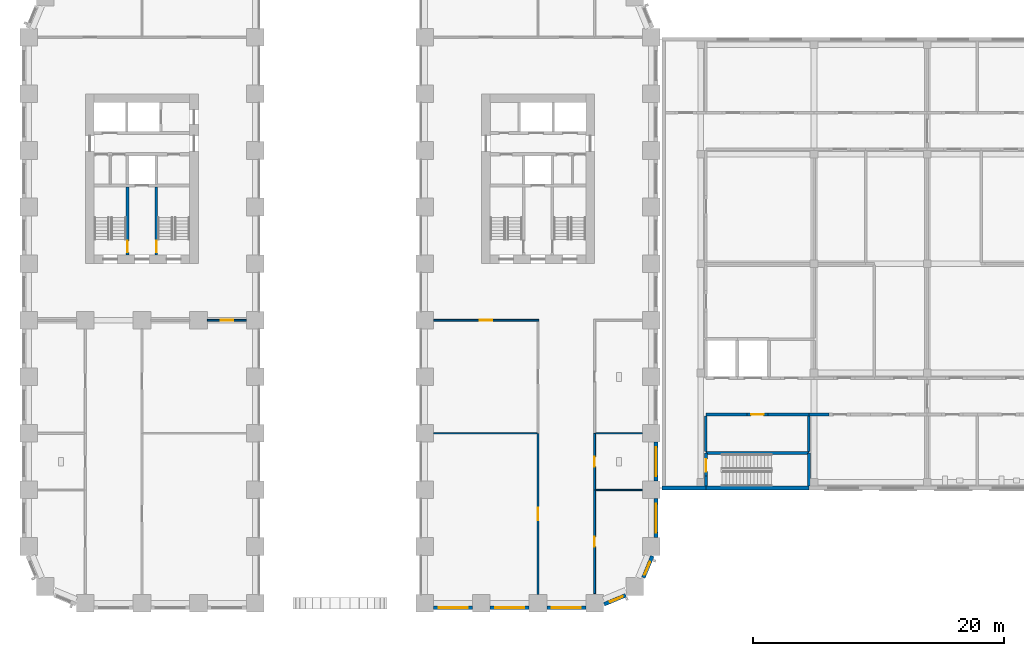
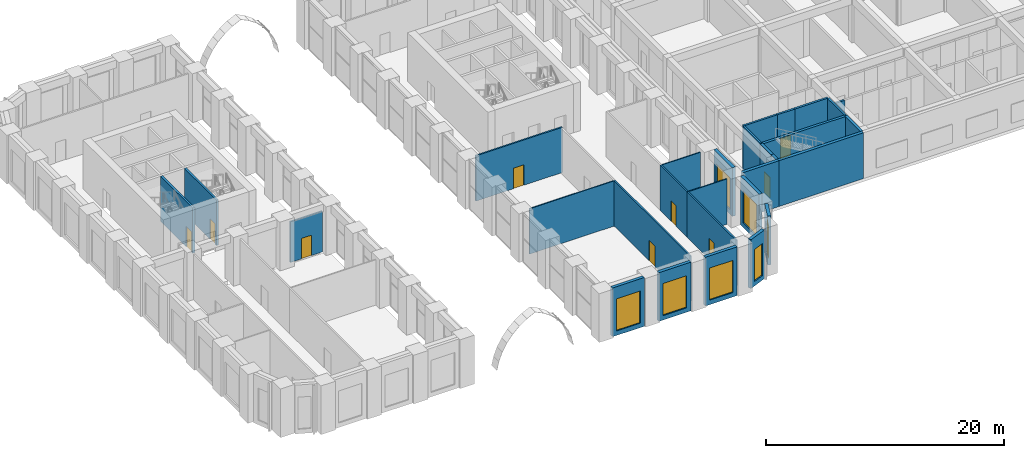
# One storey, part 9 of 24: 29 walls, 9 doors, 7 windows, 16 openings.
"""IFC4 building model written with IfcOpenShell, lengths in metres."""

from ifc_helpers import new_model, si_unit, direction, frame, frame_2d, origin, place, context, subcontext, project, spatial, rectangle, extrude, material, layer, layer_set, type_object, element, fill, save


model = new_model("IFC4")

# Units and contexts
model_context = context("Model", 3, precision=1e-05, world=origin(), true_north=direction((0.0, 1.0)))
body_context = subcontext(model_context, "Body", "Model", "MODEL_VIEW")
ifc_project = project(units=[si_unit("LENGTHUNIT", "METRE"), si_unit("AREAUNIT", "SQUARE_METRE"), si_unit("VOLUMEUNIT", "CUBIC_METRE"), si_unit("PLANEANGLEUNIT", "RADIAN"), si_unit("MASSUNIT", "GRAM", prefix="KILO")], contexts=[model_context])

# Site, building, storey
site_placement = place(None, origin())
site = spatial("IfcSite", under=ifc_project, at=site_placement, CompositionType="ELEMENT")
building_placement = place(site_placement, origin())
building = spatial("IfcBuilding", under=site, at=building_placement, Name="Girih Gate Residences", CompositionType="ELEMENT")
storey_placement = place(building_placement, frame((0.0, 0.0, 11.0)))
storey = spatial("IfcBuildingStorey", under=building, at=storey_placement, Name="L02", CompositionType="ELEMENT", Elevation=11.0)

# Wall, opening, door
ifc_material_1 = material(Name="Gypsum board on steel studs", Category="steel")
ifc_layer_1 = layer(ifc_material_1, 0.14990234375)
ifc_layer_set_1 = layer_set([ifc_layer_1], Name="Compartment wall 150 mm")
wall_type_1 = type_object("IfcWallType", Name="Compartment wall 150 mm", PredefinedType="PARTITIONING", material=ifc_layer_set_1)
wall_1_placement = place(storey_placement, frame((40.574951171875, 22.5, 0.0), z_axis=(0.0, 0.0, 1.0), x_axis=(-1.0, 0.0, 0.0)))
wall_1 = element("IfcWall", 1, at=wall_1_placement, inside=storey, type_object=wall_type_1, Name="L02 partition", PredefinedType="PARTITIONING", context=body_context, shape_type="SweptSolid", body=[
    extrude(rectangle(XDim=8.375, YDim=0.14990234375, at=frame_2d((4.1875, 0.0))), origin(), (0.0, 0.0, 1.0), 4.64990234375),
])
opening_1_placement = place(wall_1_placement, frame((3.72509765625, 0.0, 0.0)))
opening_1 = element("IfcOpeningElement", 2, at=opening_1_placement, cuts=wall_1, Name="Opening D-L02-S-001", PredefinedType="OPENING", context=body_context, shape_type="SweptSolid", body=[
    extrude(rectangle(XDim=1.0, YDim=2.10009765625, at=frame_2d((0.5, 1.050048828125))), frame((0.0, 0.0849609375, 0.0), z_axis=(0.0, -1.0, 0.0), x_axis=(1.0, 0.0, 0.0)), (0.0, 0.0, 1.0), 0.169921875),
])
ifc_material_2 = material(Name="Timber, fire-rated core", Category="wood")
door_type_1 = type_object("IfcDoorType", Name="Amenity door 1000x2100 FD30S", OperationType="SINGLE_SWING_LEFT", PredefinedType="DOOR", material=ifc_material_2)
door_1_placement = place(opening_1_placement, origin())
door_1 = element("IfcDoor", 3, at=door_1_placement, inside=storey, type_object=door_type_1, Name="Door L02-001", OperationType="SINGLE_SWING_RIGHT", OverallHeight=2.10009765625, OverallWidth=1.0, PredefinedType="DOOR", context=body_context, shape_type="SweptSolid", body=[
    extrude(rectangle(XDim=1.0, YDim=2.10009765625, at=frame_2d((0.5, 1.050048828125))), frame((0.0, 0.02490234375, 0.0), z_axis=(0.0, -1.0, 0.0), x_axis=(1.0, 0.0, 0.0)), (0.0, 0.0, 1.0), 0.050048828125),
])
fill(opening_1, door_1)

wall_2_placement = place(storey_placement, frame((40.5, 0.699951171875, 0.0), z_axis=(0.0, 0.0, 1.0), x_axis=(0.0, 1.0, 0.0)))
wall_2 = element("IfcWall", 4, at=wall_2_placement, inside=storey, type_object=wall_type_1, Name="L02 partition", PredefinedType="PARTITIONING", context=body_context, shape_type="SweptSolid", body=[
    extrude(rectangle(XDim=12.800048828125, YDim=0.14990234375, at=frame_2d((6.39990234375, 0.0))), origin(), (0.0, 0.0, 1.0), 4.64990234375),
])
opening_2_placement = place(wall_2_placement, frame((5.89990234375, 0.0, 0.0)))
opening_2 = element("IfcOpeningElement", 5, at=opening_2_placement, cuts=wall_2, Name="Opening D-L02-S-005", PredefinedType="OPENING", context=body_context, shape_type="SweptSolid", body=[
    extrude(rectangle(XDim=1.0, YDim=2.10009765625, at=frame_2d((0.5, 1.050048828125))), frame((0.0, 0.0849609375, 0.0), z_axis=(0.0, -1.0, 0.0), x_axis=(1.0, 0.0, 0.0)), (0.0, 0.0, 1.0), 0.169921875),
])
door_2_placement = place(opening_2_placement, origin())
door_2 = element("IfcDoor", 6, at=door_2_placement, inside=storey, type_object=door_type_1, Name="Door L02-005", OperationType="SINGLE_SWING_RIGHT", OverallHeight=2.10009765625, OverallWidth=1.0, PredefinedType="DOOR", context=body_context, shape_type="SweptSolid", body=[
    extrude(rectangle(XDim=1.0, YDim=2.10009765625, at=frame_2d((0.5, 1.050048828125))), frame((0.0, 0.02490234375, 0.0), z_axis=(0.0, -1.0, 0.0), x_axis=(1.0, 0.0, 0.0)), (0.0, 0.0, 1.0), 0.050048828125),
])
fill(opening_2, door_2)

wall_3_placement = place(storey_placement, frame((45.0, 9.0, 0.0), z_axis=(0.0, 0.0, 1.0), x_axis=(0.0, -1.0, 0.0)))
wall_3 = element("IfcWall", 7, at=wall_3_placement, inside=storey, type_object=wall_type_1, Name="L02 partition", PredefinedType="PARTITIONING", context=body_context, shape_type="SweptSolid", body=[
    extrude(rectangle(XDim=8.242431640625, YDim=0.14990234375, at=frame_2d((4.12109375, 0.0))), origin(), (0.0, 0.0, 1.0), 4.64990234375),
])
opening_3_placement = place(wall_3_placement, frame((3.72119140625, 0.0, 0.0)))
opening_3 = element("IfcOpeningElement", 8, at=opening_3_placement, cuts=wall_3, Name="Opening D-L02-S-007", PredefinedType="OPENING", context=body_context, shape_type="SweptSolid", body=[
    extrude(rectangle(XDim=0.800048828125, YDim=2.10009765625, at=frame_2d((0.39990234375, 1.050048828125))), frame((0.0, 0.0849609375, 0.0), z_axis=(0.0, -1.0, 0.0), x_axis=(1.0, 0.0, 0.0)), (0.0, 0.0, 1.0), 0.169921875),
])
ifc_material_3 = material(Name="Timber", Category="wood")
door_type_2 = type_object("IfcDoorType", Name="WC and store door 800x2100", OperationType="SINGLE_SWING_LEFT", PredefinedType="DOOR", material=ifc_material_3)
door_3_placement = place(opening_3_placement, origin())
door_3 = element("IfcDoor", 9, at=door_3_placement, inside=storey, type_object=door_type_2, Name="Door L02-007", OperationType="SINGLE_SWING_RIGHT", OverallHeight=2.10009765625, OverallWidth=0.800048828125, PredefinedType="DOOR", context=body_context, shape_type="SweptSolid", body=[
    extrude(rectangle(XDim=0.800048828125, YDim=2.10009765625, at=frame_2d((0.39990234375, 1.050048828125))), frame((0.0, 0.02490234375, 0.0), z_axis=(0.0, -1.0, 0.0), x_axis=(1.0, 0.0, 0.0)), (0.0, 0.0, 1.0), 0.050048828125),
])
fill(opening_3, door_3)

wall_4_placement = place(storey_placement, frame((45.0, 13.5, 0.0), z_axis=(0.0, 0.0, 1.0), x_axis=(0.0, -1.0, 0.0)))
wall_4 = element("IfcWall", 10, at=wall_4_placement, inside=storey, type_object=wall_type_1, Name="L02 partition", PredefinedType="PARTITIONING", context=body_context, shape_type="SweptSolid", body=[
    extrude(rectangle(XDim=4.5, YDim=0.14990234375, at=frame_2d((2.25, 0.0))), origin(), (0.0, 0.0, 1.0), 4.64990234375),
])
opening_4_placement = place(wall_4_placement, frame((1.85009765625, 0.0, 0.0)))
opening_4 = element("IfcOpeningElement", 11, at=opening_4_placement, cuts=wall_4, Name="Opening D-L02-S-008", PredefinedType="OPENING", context=body_context, shape_type="SweptSolid", body=[
    extrude(rectangle(XDim=0.800048828125, YDim=2.10009765625, at=frame_2d((0.39990234375, 1.050048828125))), frame((0.0, 0.0849609375, 0.0), z_axis=(0.0, -1.0, 0.0), x_axis=(1.0, 0.0, 0.0)), (0.0, 0.0, 1.0), 0.169921875),
])
door_4_placement = place(opening_4_placement, origin())
door_4 = element("IfcDoor", 12, at=door_4_placement, inside=storey, type_object=door_type_2, Name="Door L02-008", OperationType="SINGLE_SWING_RIGHT", OverallHeight=2.10009765625, OverallWidth=0.800048828125, PredefinedType="DOOR", context=body_context, shape_type="SweptSolid", body=[
    extrude(rectangle(XDim=0.800048828125, YDim=2.10009765625, at=frame_2d((0.39990234375, 1.050048828125))), frame((0.0, 0.02490234375, 0.0), z_axis=(0.0, -1.0, 0.0), x_axis=(1.0, 0.0, 0.0)), (0.0, 0.0, 1.0), 0.050048828125),
])
fill(opening_4, door_4)

wall_5_placement = place(storey_placement, frame((17.300048828125, 22.5, 0.0), z_axis=(0.0, 0.0, 1.0), x_axis=(-1.0, 0.0, 0.0)))
wall_5 = element("IfcWall", 13, at=wall_5_placement, inside=storey, type_object=wall_type_1, Name="L02 partition", PredefinedType="PARTITIONING", context=body_context, shape_type="SweptSolid", body=[
    extrude(rectangle(XDim=3.10009765625, YDim=0.14990234375, at=frame_2d((1.550048828125, 0.0))), origin(), (0.0, 0.0, 1.0), 4.179931640625),
])
opening_5_placement = place(wall_5_placement, frame((1.050048828125, 0.0, 0.0)))
opening_5 = element("IfcOpeningElement", 14, at=opening_5_placement, cuts=wall_5, Name="Opening D-L02-S-010", PredefinedType="OPENING", context=body_context, shape_type="SweptSolid", body=[
    extrude(rectangle(XDim=1.0, YDim=2.10009765625, at=frame_2d((0.5, 1.050048828125))), frame((0.0, 0.0849609375, 0.0), z_axis=(0.0, -1.0, 0.0), x_axis=(1.0, 0.0, 0.0)), (0.0, 0.0, 1.0), 0.169921875),
])
door_5_placement = place(opening_5_placement, origin())
door_5 = element("IfcDoor", 15, at=door_5_placement, inside=storey, type_object=door_type_1, Name="Door L02-010", OperationType="SINGLE_SWING_RIGHT", OverallHeight=2.10009765625, OverallWidth=1.0, PredefinedType="DOOR", context=body_context, shape_type="SweptSolid", body=[
    extrude(rectangle(XDim=1.0, YDim=2.10009765625, at=frame_2d((0.5, 1.050048828125))), frame((0.0, 0.02490234375, 0.0), z_axis=(0.0, -1.0, 0.0), x_axis=(1.0, 0.0, 0.0)), (0.0, 0.0, 1.0), 0.050048828125),
])
fill(opening_5, door_5)

# Wall
ifc_material_4 = material(Name="Fire-rated gypsum partition")
ifc_layer_2 = layer(ifc_material_4, 0.199951171875)
ifc_layer_set_2 = layer_set([ifc_layer_2], Name="HC Corridor wall 200 EI 60")
wall_type_2 = type_object("IfcWallType", Name="HC Corridor wall 200 EI 60", PredefinedType="PARTITIONING", material=ifc_layer_set_2)
wall_6_placement = place(storey_placement, frame((53.85009765625, 15.0, 0.0), z_axis=(0.0, 0.0, 1.0), x_axis=(1.0, 0.0, 0.0)))
element("IfcWall", 16, at=wall_6_placement, inside=storey, type_object=wall_type_2, Name="L02 wall x15.00/53.9", PredefinedType="PARTITIONING", context=body_context, shape_type="SweptSolid", body=[
    extrude(rectangle(XDim=3.25, YDim=0.199951171875, at=frame_2d((1.625, 0.0))), origin(), (0.0, 0.0, 1.0), 4.699951171875),
])

# Wall, opening, door
wall_7_placement = place(storey_placement, frame((58.800048828125, 15.0, 0.0), z_axis=(0.0, 0.0, 1.0), x_axis=(-1.0, 0.0, 0.0)))
wall_7 = element("IfcWall", 17, at=wall_7_placement, inside=storey, type_object=wall_type_2, Name="L02 wall x15.00/57.1", PredefinedType="PARTITIONING", context=body_context, shape_type="SweptSolid", body=[
    extrude(rectangle(XDim=1.699951171875, YDim=0.199951171875, at=frame_2d((0.85009765625, 0.0))), origin(), (0.0, 0.0, 1.0), 4.699951171875),
])
opening_6_placement = place(wall_7_placement, frame((0.35009765625, 0.0, 0.0)))
opening_6 = element("IfcOpeningElement", 18, at=opening_6_placement, cuts=wall_7, Name="Opening HC-L02-D07", PredefinedType="OPENING", context=body_context, shape_type="SweptSolid", body=[
    extrude(rectangle(XDim=1.0, YDim=2.10009765625, at=frame_2d((0.5, 1.050048828125))), frame((0.0, 0.10986328125, 0.0), z_axis=(0.0, -1.0, 0.0), x_axis=(1.0, 0.0, 0.0)), (0.0, 0.0, 1.0), 0.219970703125),
])
ifc_material_5 = material(Name="Timber door set", Category="wood")
door_type_3 = type_object("IfcDoorType", Name="HC Door 1000x2100 FD30S", OperationType="NOTDEFINED", PredefinedType="DOOR", material=ifc_material_5)
door_6_placement = place(opening_6_placement, origin())
door_6 = element("IfcDoor", 19, at=door_6_placement, inside=storey, type_object=door_type_3, Name="L02 Cleaners store door", OperationType="SINGLE_SWING_RIGHT", OverallHeight=2.10009765625, OverallWidth=1.0, PredefinedType="DOOR", context=body_context, shape_type="SweptSolid", body=[
    extrude(rectangle(XDim=1.0, YDim=2.10009765625, at=frame_2d((0.5, 1.050048828125))), frame((0.0, 0.02490234375, 0.0), z_axis=(0.0, -1.0, 0.0), x_axis=(1.0, 0.0, 0.0)), (0.0, 0.0, 1.0), 0.050048828125),
])
fill(opening_6, door_6)

# Walls
wall_8_placement = place(storey_placement, frame((58.800048828125, 15.0, 0.0), z_axis=(0.0, 0.0, 1.0), x_axis=(1.0, 0.0, 0.0)))
element("IfcWall", 20, at=wall_8_placement, inside=storey, type_object=wall_type_2, Name="L02 wall x15.00/58.8", PredefinedType="PARTITIONING", context=body_context, shape_type="SweptSolid", body=[
    extrude(rectangle(XDim=3.25, YDim=0.199951171875, at=frame_2d((1.625, 0.0))), origin(), (0.0, 0.0, 1.0), 4.699951171875),
])
wall_9_placement = place(storey_placement, frame((62.050048828125, 15.0, 0.0), z_axis=(0.0, 0.0, 1.0), x_axis=(1.0, 0.0, 0.0)))
element("IfcWall", 21, at=wall_9_placement, inside=storey, type_object=wall_type_2, Name="L02 wall x15.00/62.0", PredefinedType="PARTITIONING", context=body_context, shape_type="SweptSolid", body=[
    extrude(rectangle(XDim=1.599853515625, YDim=0.199951171875, at=frame_2d((0.7998046875, 0.0))), origin(), (0.0, 0.0, 1.0), 3.89990234375),
])
wall_10_placement = place(storey_placement, frame((53.85009765625, 12.050048828125, 0.0), z_axis=(0.0, 0.0, 1.0), x_axis=(0.0, 1.0, 0.0)))
element("IfcWall", 22, at=wall_10_placement, inside=storey, type_object=wall_type_2, Name="L02 wall y53.85/12.1", PredefinedType="PARTITIONING", context=body_context, shape_type="SweptSolid", body=[
    extrude(rectangle(XDim=2.849853515625, YDim=0.199951171875, at=frame_2d((1.4248046875, 0.0))), origin(), (0.0, 0.0, 1.0), 4.699951171875),
])
ifc_material_6 = material(Name="Precast concrete C40/50", Category="concrete")
ifc_layer_3 = layer(ifc_material_6, 0.300048828125)
ifc_layer_set_3 = layer_set([ifc_layer_3], Name="HC Facade wall 300")
wall_type_3 = type_object("IfcWallType", Name="HC Facade wall 300", PredefinedType="SOLIDWALL", material=ifc_layer_set_3)
wall_11_placement = place(storey_placement, frame((53.85009765625, 9.14990234375, 0.0), z_axis=(0.0, 0.0, 1.0), x_axis=(-1.0, 0.0, 0.0)))
element("IfcWall", 23, at=wall_11_placement, inside=storey, type_object=wall_type_3, Name="L02 south facade wall", PredefinedType="SOLIDWALL", context=body_context, shape_type="SweptSolid", body=[
    extrude(rectangle(XDim=3.5, YDim=0.300048828125, at=frame_2d((1.75, 0.0))), origin(), (0.0, 0.0, 1.0), 4.699951171875),
])
ifc_material_7 = material(Name="Gypsum partition")
ifc_layer_4 = layer(ifc_material_7, 0.199951171875)
ifc_layer_set_4 = layer_set([ifc_layer_4], Name="HC Room partition 200 EI 30")
wall_type_4 = type_object("IfcWallType", Name="HC Room partition 200 EI 30", PredefinedType="PARTITIONING", material=ifc_layer_set_4)
wall_12_placement = place(storey_placement, frame((62.050048828125, 12.050048828125, 0.0), z_axis=(0.0, 0.0, 1.0), x_axis=(0.0, 1.0, 0.0)))
element("IfcWall", 24, at=wall_12_placement, inside=storey, type_object=wall_type_4, Name="L02 wall y62.05/12.1", PredefinedType="PARTITIONING", context=body_context, shape_type="SweptSolid", body=[
    extrude(rectangle(XDim=2.849853515625, YDim=0.199951171875, at=frame_2d((1.4248046875, 0.0))), origin(), (0.0, 0.0, 1.0), 4.699951171875),
])
ifc_material_8 = material(Name="Concrete C40/50", Category="concrete")
ifc_layer_5 = layer(ifc_material_8, 0.25)
ifc_layer_set_5 = layer_set([ifc_layer_5], Name="HC Shaft wall 250 C40/50")
wall_type_5 = type_object("IfcWallType", Name="HC Shaft wall 250 C40/50", PredefinedType="SHEAR", material=ifc_layer_set_5)
wall_13_placement = place(storey_placement, frame((53.85009765625, 11.949951171875, 0.0), z_axis=(0.0, 0.0, 1.0), x_axis=(1.0, 0.0, 0.0)))
element("IfcWall", 25, at=wall_13_placement, inside=storey, type_object=wall_type_5, Name="L02 wall x11.95/53.9", PredefinedType="SHEAR", context=body_context, shape_type="SweptSolid", body=[
    extrude(rectangle(XDim=8.199951171875, YDim=0.25, at=frame_2d((4.10009765625, 0.0))), origin(), (0.0, 0.0, 1.0), 4.699951171875),
])
wall_14_placement = place(storey_placement, frame((53.85009765625, 9.300048828125, 0.0), z_axis=(0.0, 0.0, 1.0), x_axis=(0.0, 1.0, 0.0)))
element("IfcWall", 26, at=wall_14_placement, inside=storey, type_object=wall_type_5, Name="L02 wall y53.85/9.3", PredefinedType="SHEAR", context=body_context, shape_type="SweptSolid", body=[
    extrude(rectangle(XDim=0.800048828125, YDim=0.25, at=frame_2d((0.39990234375, 0.0))), origin(), (0.0, 0.0, 1.0), 4.699951171875),
])

# Wall, opening, door
wall_15_placement = place(storey_placement, frame((53.85009765625, 10.10009765625, 0.0), z_axis=(0.0, 0.0, 1.0), x_axis=(0.0, 1.0, 0.0)))
wall_15 = element("IfcWall", 27, at=wall_15_placement, inside=storey, type_object=wall_type_5, Name="L02 wall y53.85/10.1", PredefinedType="SHEAR", context=body_context, shape_type="SweptSolid", body=[
    extrude(rectangle(XDim=1.849853515625, YDim=0.25, at=frame_2d((0.9248046875, 0.0))), origin(), (0.0, 0.0, 1.0), 4.699951171875),
])
opening_7_placement = place(wall_15_placement, frame((0.35009765625, 0.0, 0.0)))
opening_7 = element("IfcOpeningElement", 28, at=opening_7_placement, cuts=wall_15, Name="Opening HC-L02-D01", PredefinedType="OPENING", context=body_context, shape_type="SweptSolid", body=[
    extrude(rectangle(XDim=1.0, YDim=2.10009765625, at=frame_2d((0.5, 1.050048828125))), frame((0.0, 0.135009765625, 0.0), z_axis=(0.0, -1.0, 0.0), x_axis=(1.0, 0.0, 0.0)), (0.0, 0.0, 1.0), 0.27001953125),
])
ifc_material_9 = material(Name="Steel door set", Category="steel")
door_type_4 = type_object("IfcDoorType", Name="HC Stair door 1000x2100 FD60", OperationType="NOTDEFINED", PredefinedType="DOOR", material=ifc_material_9)
door_7_placement = place(opening_7_placement, origin())
door_7 = element("IfcDoor", 29, at=door_7_placement, inside=storey, type_object=door_type_4, Name="L02 Stair A door", OperationType="SINGLE_SWING_LEFT", OverallHeight=2.10009765625, OverallWidth=1.0, PredefinedType="DOOR", context=body_context, shape_type="SweptSolid", body=[
    extrude(rectangle(XDim=1.0, YDim=2.10009765625, at=frame_2d((0.5, 1.050048828125))), frame((0.0, 0.02490234375, 0.0), z_axis=(0.0, -1.0, 0.0), x_axis=(1.0, 0.0, 0.0)), (0.0, 0.0, 1.0), 0.050048828125),
])
fill(opening_7, door_7)

# Walls
wall_16_placement = place(storey_placement, frame((62.050048828125, 9.300048828125, 0.0), z_axis=(0.0, 0.0, 1.0), x_axis=(0.0, 1.0, 0.0)))
element("IfcWall", 30, at=wall_16_placement, inside=storey, type_object=wall_type_5, Name="L02 wall y62.05/9.3", PredefinedType="SHEAR", context=body_context, shape_type="SweptSolid", body=[
    extrude(rectangle(XDim=2.64990234375, YDim=0.25, at=frame_2d((1.324951171875, 0.0))), origin(), (0.0, 0.0, 1.0), 4.699951171875),
])
ifc_layer_6 = layer(ifc_material_6, 0.300048828125)
ifc_layer_set_6 = layer_set([ifc_layer_6], Name="HC Stair shaft facade wall 300")
wall_type_6 = type_object("IfcWallType", Name="HC Stair shaft facade wall 300", PredefinedType="SHEAR", material=ifc_layer_set_6)
wall_17_placement = place(storey_placement, frame((62.050048828125, 9.14990234375, 0.0), z_axis=(0.0, 0.0, 1.0), x_axis=(-1.0, 0.0, 0.0)))
element("IfcWall", 31, at=wall_17_placement, inside=storey, type_object=wall_type_6, Name="L02 south facade wall over stair A", PredefinedType="SHEAR", context=body_context, shape_type="SweptSolid", body=[
    extrude(rectangle(XDim=8.199951171875, YDim=0.300048828125, at=frame_2d((4.10009765625, 0.0))), origin(), (0.0, 0.0, 1.0), 4.699951171875),
])
ifc_layer_7 = layer(ifc_material_1, 0.10009765625)
ifc_layer_set_7 = layer_set([ifc_layer_7], Name="Partition 100 mm")
wall_type_7 = type_object("IfcWallType", Name="Partition 100 mm", PredefinedType="PARTITIONING", material=ifc_layer_set_7)
wall_18_placement = place(storey_placement, frame((32.199951171875, 13.5, 0.0), z_axis=(0.0, 0.0, 1.0), x_axis=(1.0, 0.0, 0.0)))
element("IfcWall", 32, at=wall_18_placement, inside=storey, type_object=wall_type_7, Name="L02 partition", PredefinedType="PARTITIONING", context=body_context, shape_type="SweptSolid", body=[
    extrude(rectangle(XDim=8.22509765625, YDim=0.10009765625, at=frame_2d((4.112548828125, 0.0))), origin(), (0.0, 0.0, 1.0), 4.64990234375),
])
for number, where, z_axis, x_axis, name in (
    (33, (45.074951171875, 9.0, 0.0), (0.0, 0.0, 1.0), (1.0, 0.0, 0.0), "L02 partition"),
    (34, (45.074951171875, 13.5, 0.0), (0.0, 0.0, 1.0), (1.0, 0.0, 0.0), "L02 partition"),
):
    element("IfcWall", number, at=place(storey_placement, frame(where, z_axis=z_axis, x_axis=x_axis)), inside=storey, type_object=wall_type_7, Name=name, PredefinedType="PARTITIONING", context=body_context, shape_type="SweptSolid", body=[
        extrude(rectangle(XDim=3.72509765625, YDim=0.10009765625, at=frame_2d((1.862548828125, 0.0))), origin(), (0.0, 0.0, 1.0), 4.64990234375),
    ])

# Wall, opening, window
ifc_material_10 = material(Name="Precast concrete C50/60", Category="concrete")
ifc_layer_8 = layer(ifc_material_10, 0.080078125, Name="Outer leaf")
ifc_material_11 = material(Name="Rigid PIR insulation")
ifc_layer_9 = layer(ifc_material_11, 0.14990234375, Name="Insulation")
ifc_layer_10 = layer(ifc_material_6, 0.070068359375, Name="Inner leaf")
ifc_layer_set_8 = layer_set([ifc_layer_8, ifc_layer_9, ifc_layer_10], Name="Precast concrete C50/60 external wall 300")
wall_type_8 = type_object("IfcWallType", Name="Precast concrete C50/60 external wall 300", PredefinedType="SOLIDWALL", material=ifc_layer_set_8)
wall_19_placement = place(storey_placement, frame((35.300048828125, -0.375, 0.0), z_axis=(0.0, 0.0, 1.0), x_axis=(-1.0, 0.0, 0.0)))
wall_19 = element("IfcWall", 35, at=wall_19_placement, inside=storey, type_object=wall_type_8, Name="External wall S0315_0000.0", PredefinedType="SOLIDWALL", context=body_context, shape_type="SweptSolid", body=[
    extrude(rectangle(XDim=3.10009765625, YDim=0.300048828125, at=frame_2d((1.550048828125, 0.0))), origin(), (0.0, 0.0, 1.0), 5.0),
])
opening_8_placement = place(wall_19_placement, frame((0.39990234375, 0.0, 0.449951171875)))
opening_8 = element("IfcOpeningElement", 36, at=opening_8_placement, cuts=wall_19, Name="Opening W-3", PredefinedType="OPENING", context=body_context, shape_type="SweptSolid", body=[
    extrude(rectangle(XDim=2.300048828125, YDim=3.300048828125, at=frame_2d((1.14990234375, 1.64990234375))), frame((0.0, 0.159912109375, 0.0), z_axis=(0.0, -1.0, 0.0), x_axis=(1.0, 0.0, 0.0)), (0.0, 0.0, 1.0), 0.320068359375),
])
ifc_material_12 = material(Name="Double glazing in aluminium frame", Category="aluminium")
window_type_1 = type_object("IfcWindowType", Name="Window W-3 2300x3300", PartitioningType="SINGLE_PANEL", PredefinedType="WINDOW", material=ifc_material_12)
window_1_placement = place(opening_8_placement, origin())
window_1 = element("IfcWindow", 37, at=window_1_placement, inside=storey, type_object=window_type_1, Name="Window W-3 S0315_0000.0", OverallHeight=3.300048828125, OverallWidth=2.300048828125, PartitioningType="SINGLE_PANEL", PredefinedType="WINDOW", context=body_context, shape_type="SweptSolid", body=[
    extrude(rectangle(XDim=2.300048828125, YDim=3.300048828125, at=frame_2d((1.14990234375, 1.64990234375))), frame((0.0, 0.030029296875, 0.0), z_axis=(0.0, -1.0, 0.0), x_axis=(1.0, 0.0, 0.0)), (0.0, 0.0, 1.0), 0.06005859375),
])
fill(opening_8, window_1)

wall_20_placement = place(storey_placement, frame((39.800048828125, -0.375, 0.0), z_axis=(0.0, 0.0, 1.0), x_axis=(-1.0, 0.0, 0.0)))
wall_20 = element("IfcWall", 38, at=wall_20_placement, inside=storey, type_object=wall_type_8, Name="External wall S0315_0000.1", PredefinedType="SOLIDWALL", context=body_context, shape_type="SweptSolid", body=[
    extrude(rectangle(XDim=3.10009765625, YDim=0.300048828125, at=frame_2d((1.550048828125, 0.0))), origin(), (0.0, 0.0, 1.0), 5.0),
])
opening_9_placement = place(wall_20_placement, frame((0.39990234375, 0.0, 0.449951171875)))
opening_9 = element("IfcOpeningElement", 39, at=opening_9_placement, cuts=wall_20, Name="Opening W-3", PredefinedType="OPENING", context=body_context, shape_type="SweptSolid", body=[
    extrude(rectangle(XDim=2.300048828125, YDim=3.300048828125, at=frame_2d((1.14990234375, 1.64990234375))), frame((0.0, 0.159912109375, 0.0), z_axis=(0.0, -1.0, 0.0), x_axis=(1.0, 0.0, 0.0)), (0.0, 0.0, 1.0), 0.320068359375),
])
window_2_placement = place(opening_9_placement, origin())
window_2 = element("IfcWindow", 40, at=window_2_placement, inside=storey, type_object=window_type_1, Name="Window W-3 S0315_0000.1", OverallHeight=3.300048828125, OverallWidth=2.300048828125, PartitioningType="SINGLE_PANEL", PredefinedType="WINDOW", context=body_context, shape_type="SweptSolid", body=[
    extrude(rectangle(XDim=2.300048828125, YDim=3.300048828125, at=frame_2d((1.14990234375, 1.64990234375))), frame((0.0, 0.030029296875, 0.0), z_axis=(0.0, -1.0, 0.0), x_axis=(1.0, 0.0, 0.0)), (0.0, 0.0, 1.0), 0.06005859375),
])
fill(opening_9, window_2)

wall_21_placement = place(storey_placement, frame((44.300048828125, -0.375, 0.0), z_axis=(0.0, 0.0, 1.0), x_axis=(-1.0, 0.0, 0.0)))
wall_21 = element("IfcWall", 41, at=wall_21_placement, inside=storey, type_object=wall_type_8, Name="External wall S0315_0000.2", PredefinedType="SOLIDWALL", context=body_context, shape_type="SweptSolid", body=[
    extrude(rectangle(XDim=3.10009765625, YDim=0.300048828125, at=frame_2d((1.550048828125, 0.0))), origin(), (0.0, 0.0, 1.0), 5.0),
])
opening_10_placement = place(wall_21_placement, frame((0.39990234375, 0.0, 0.449951171875)))
opening_10 = element("IfcOpeningElement", 42, at=opening_10_placement, cuts=wall_21, Name="Opening W-3", PredefinedType="OPENING", context=body_context, shape_type="SweptSolid", body=[
    extrude(rectangle(XDim=2.300048828125, YDim=3.300048828125, at=frame_2d((1.14990234375, 1.64990234375))), frame((0.0, 0.159912109375, 0.0), z_axis=(0.0, -1.0, 0.0), x_axis=(1.0, 0.0, 0.0)), (0.0, 0.0, 1.0), 0.320068359375),
])
window_3_placement = place(opening_10_placement, origin())
window_3 = element("IfcWindow", 43, at=window_3_placement, inside=storey, type_object=window_type_1, Name="Window W-3 S0315_0000.2", OverallHeight=3.300048828125, OverallWidth=2.300048828125, PartitioningType="SINGLE_PANEL", PredefinedType="WINDOW", context=body_context, shape_type="SweptSolid", body=[
    extrude(rectangle(XDim=2.300048828125, YDim=3.300048828125, at=frame_2d((1.14990234375, 1.64990234375))), frame((0.0, 0.030029296875, 0.0), z_axis=(0.0, -1.0, 0.0), x_axis=(1.0, 0.0, 0.0)), (0.0, 0.0, 1.0), 0.06005859375),
])
fill(opening_10, window_3)

wall_22_placement = place(storey_placement, frame((47.48046875, 0.62158203125, 0.0), z_axis=(0.0, 0.0, 1.0), x_axis=(-0.923903565336, -0.38262540684, 0.0)))
wall_22 = element("IfcWall", 44, at=wall_22_placement, inside=storey, type_object=wall_type_8, Name="External wall SE0450_0000.0", PredefinedType="SOLIDWALL", context=body_context, shape_type="SweptSolid", body=[
    extrude(rectangle(XDim=1.864990234375, YDim=0.300048828125, at=frame_2d((0.9326171875, 0.0))), origin(), (0.0, 0.0, 1.0), 5.0),
])
opening_11_placement = place(wall_22_placement, frame((0.257568359375, 0.0, 0.449951171875)))
opening_11 = element("IfcOpeningElement", 45, at=opening_11_placement, cuts=wall_22, Name="Opening W-2A", PredefinedType="OPENING", context=body_context, shape_type="SweptSolid", body=[
    extrude(rectangle(XDim=1.10009765625, YDim=3.300048828125, at=frame_2d((0.550048828125, 1.64990234375))), frame((0.0, 0.159912109375, 0.0), z_axis=(0.0, -1.0, 0.0), x_axis=(1.0, 0.0, 0.0)), (0.0, 0.0, 1.0), 0.320068359375),
])
window_type_2 = type_object("IfcWindowType", Name="Window W-2A 1100x3300", PartitioningType="SINGLE_PANEL", PredefinedType="WINDOW", material=ifc_material_12)
window_4_placement = place(opening_11_placement, origin())
window_4 = element("IfcWindow", 46, at=window_4_placement, inside=storey, type_object=window_type_2, Name="Window W-2A SE0450_0000.0", OverallHeight=3.300048828125, OverallWidth=1.10009765625, PartitioningType="SINGLE_PANEL", PredefinedType="WINDOW", context=body_context, shape_type="SweptSolid", body=[
    extrude(rectangle(XDim=1.10009765625, YDim=3.300048828125, at=frame_2d((0.550048828125, 1.64990234375))), frame((0.0, 0.030029296875, 0.0), z_axis=(0.0, -1.0, 0.0), x_axis=(1.0, 0.0, 0.0)), (0.0, 0.0, 1.0), 0.06005859375),
])
fill(opening_11, window_4)

wall_23_placement = place(storey_placement, frame((49.59228515625, 3.74267578125, 0.0), z_axis=(0.0, 0.0, 1.0), x_axis=(-0.382737135771, -0.923857286003, 0.0)))
wall_23 = element("IfcWall", 47, at=wall_23_placement, inside=storey, type_object=wall_type_8, Name="External wall SE0482_0013.0", PredefinedType="SOLIDWALL", context=body_context, shape_type="SweptSolid", body=[
    extrude(rectangle(XDim=1.865234375, YDim=0.300048828125, at=frame_2d((0.9326171875, 0.0))), origin(), (0.0, 0.0, 1.0), 5.0),
])
opening_12_placement = place(wall_23_placement, frame((0.507568359375, 0.0, 0.449951171875)))
opening_12 = element("IfcOpeningElement", 48, at=opening_12_placement, cuts=wall_23, Name="Opening W-2A", PredefinedType="OPENING", context=body_context, shape_type="SweptSolid", body=[
    extrude(rectangle(XDim=1.10009765625, YDim=3.300048828125, at=frame_2d((0.550048828125, 1.64990234375))), frame((0.0, 0.159912109375, 0.0), z_axis=(0.0, -1.0, 0.0), x_axis=(1.0, 0.0, 0.0)), (0.0, 0.0, 1.0), 0.320068359375),
])
window_5_placement = place(opening_12_placement, origin())
window_5 = element("IfcWindow", 49, at=window_5_placement, inside=storey, type_object=window_type_2, Name="Window W-2A SE0482_0013.0", OverallHeight=3.300048828125, OverallWidth=1.10009765625, PartitioningType="SINGLE_PANEL", PredefinedType="WINDOW", context=body_context, shape_type="SweptSolid", body=[
    extrude(rectangle(XDim=1.10009765625, YDim=3.300048828125, at=frame_2d((0.550048828125, 1.64990234375))), frame((0.0, 0.030029296875, 0.0), z_axis=(0.0, -1.0, 0.0), x_axis=(1.0, 0.0, 0.0)), (0.0, 0.0, 1.0), 0.06005859375),
])
fill(opening_12, window_5)

wall_24_placement = place(storey_placement, frame((49.875, 8.300048828125, 0.0), z_axis=(0.0, 0.0, 1.0), x_axis=(0.0, -1.0, 0.0)))
wall_24 = element("IfcWall", 50, at=wall_24_placement, inside=storey, type_object=wall_type_8, Name="External wall E0495_0045.0", PredefinedType="SOLIDWALL", context=body_context, shape_type="SweptSolid", body=[
    extrude(rectangle(XDim=3.10009765625, YDim=0.300048828125, at=frame_2d((1.550048828125, 0.0))), origin(), (0.0, 0.0, 1.0), 5.0),
])
opening_13_placement = place(wall_24_placement, frame((0.39990234375, 0.0, 0.449951171875)))
opening_13 = element("IfcOpeningElement", 51, at=opening_13_placement, cuts=wall_24, Name="Opening W-3", PredefinedType="OPENING", context=body_context, shape_type="SweptSolid", body=[
    extrude(rectangle(XDim=2.300048828125, YDim=3.300048828125, at=frame_2d((1.14990234375, 1.64990234375))), frame((0.0, 0.159912109375, 0.0), z_axis=(0.0, -1.0, 0.0), x_axis=(1.0, 0.0, 0.0)), (0.0, 0.0, 1.0), 0.320068359375),
])
window_6_placement = place(opening_13_placement, origin())
window_6 = element("IfcWindow", 52, at=window_6_placement, inside=storey, type_object=window_type_1, Name="Window W-3 E0495_0045.0", OverallHeight=3.300048828125, OverallWidth=2.300048828125, PartitioningType="SINGLE_PANEL", PredefinedType="WINDOW", context=body_context, shape_type="SweptSolid", body=[
    extrude(rectangle(XDim=2.300048828125, YDim=3.300048828125, at=frame_2d((1.14990234375, 1.64990234375))), frame((0.0, 0.030029296875, 0.0), z_axis=(0.0, -1.0, 0.0), x_axis=(1.0, 0.0, 0.0)), (0.0, 0.0, 1.0), 0.06005859375),
])
fill(opening_13, window_6)

wall_25_placement = place(storey_placement, frame((49.875, 12.800048828125, 0.0), z_axis=(0.0, 0.0, 1.0), x_axis=(0.0, -1.0, 0.0)))
wall_25 = element("IfcWall", 53, at=wall_25_placement, inside=storey, type_object=wall_type_8, Name="External wall E0495_0045.1", PredefinedType="SOLIDWALL", context=body_context, shape_type="SweptSolid", body=[
    extrude(rectangle(XDim=3.10009765625, YDim=0.300048828125, at=frame_2d((1.550048828125, 0.0))), origin(), (0.0, 0.0, 1.0), 5.0),
])
opening_14_placement = place(wall_25_placement, frame((0.39990234375, 0.0, 0.449951171875)))
opening_14 = element("IfcOpeningElement", 54, at=opening_14_placement, cuts=wall_25, Name="Opening W-3", PredefinedType="OPENING", context=body_context, shape_type="SweptSolid", body=[
    extrude(rectangle(XDim=2.300048828125, YDim=3.300048828125, at=frame_2d((1.14990234375, 1.64990234375))), frame((0.0, 0.159912109375, 0.0), z_axis=(0.0, -1.0, 0.0), x_axis=(1.0, 0.0, 0.0)), (0.0, 0.0, 1.0), 0.320068359375),
])
window_7_placement = place(opening_14_placement, origin())
window_7 = element("IfcWindow", 55, at=window_7_placement, inside=storey, type_object=window_type_1, Name="Window W-3 E0495_0045.1", OverallHeight=3.300048828125, OverallWidth=2.300048828125, PartitioningType="SINGLE_PANEL", PredefinedType="WINDOW", context=body_context, shape_type="SweptSolid", body=[
    extrude(rectangle(XDim=2.300048828125, YDim=3.300048828125, at=frame_2d((1.14990234375, 1.64990234375))), frame((0.0, 0.030029296875, 0.0), z_axis=(0.0, -1.0, 0.0), x_axis=(1.0, 0.0, 0.0)), (0.0, 0.0, 1.0), 0.06005859375),
])
fill(opening_14, window_7)

# Wall, opening, door
ifc_layer_11 = layer(ifc_material_8, 0.199951171875)
ifc_layer_set_9 = layer_set([ifc_layer_11], Name="Shaft wall 200")
wall_type_9 = type_object("IfcWallType", Name="Shaft wall 200", PredefinedType="SOLIDWALL", material=ifc_layer_set_9)
wall_26_placement = place(storey_placement, frame((7.85009765625, 27.699951171875, 0.0), z_axis=(0.0, 0.0, 1.0), x_axis=(0.0, 1.0, 0.0)))
wall_26 = element("IfcWall", 56, at=wall_26_placement, inside=storey, type_object=wall_type_9, Name="L02 W core wall V1a", PredefinedType="SOLIDWALL", context=body_context, shape_type="SweptSolid", body=[
    extrude(rectangle(XDim=5.400146484375, YDim=0.199951171875, at=frame_2d((2.7001953125, 0.0))), origin(), (0.0, 0.0, 1.0), 4.64990234375),
])
opening_15_placement = place(wall_26_placement, frame((0.199951171875, 0.0, 0.0)))
opening_15 = element("IfcOpeningElement", 57, at=opening_15_placement, cuts=wall_26, Name="Opening D-L02-W-001", PredefinedType="OPENING", context=body_context, shape_type="SweptSolid", body=[
    extrude(rectangle(XDim=0.89990234375, YDim=2.10009765625, at=frame_2d((0.449951171875, 1.050048828125))), frame((0.0, 0.10986328125, 0.0), z_axis=(0.0, -1.0, 0.0), x_axis=(1.0, 0.0, 0.0)), (0.0, 0.0, 1.0), 0.219970703125),
])
ifc_material_13 = material(Name="Painted steel, fire-resisting", Category="steel")
door_type_5 = type_object("IfcDoorType", Name="Fire door 900x2100", OperationType="SINGLE_SWING_LEFT", PredefinedType="DOOR", material=ifc_material_13)
door_8_placement = place(opening_15_placement, origin())
door_8 = element("IfcDoor", 58, at=door_8_placement, inside=storey, type_object=door_type_5, Name="L02 W door stair 1 to firefighting lobby", OperationType="SINGLE_SWING_LEFT", OverallHeight=2.10009765625, OverallWidth=0.89990234375, PredefinedType="DOOR", context=body_context, shape_type="SweptSolid", body=[
    extrude(rectangle(XDim=0.89990234375, YDim=2.10009765625, at=frame_2d((0.449951171875, 1.050048828125))), frame((0.0, 0.02490234375, 0.0), z_axis=(0.0, -1.0, 0.0), x_axis=(1.0, 0.0, 0.0)), (0.0, 0.0, 1.0), 0.050048828125),
])
fill(opening_15, door_8)

wall_27_placement = place(storey_placement, frame((10.14990234375, 27.699951171875, 0.0), z_axis=(0.0, 0.0, 1.0), x_axis=(0.0, 1.0, 0.0)))
wall_27 = element("IfcWall", 59, at=wall_27_placement, inside=storey, type_object=wall_type_9, Name="L02 W core wall V2a", PredefinedType="SOLIDWALL", context=body_context, shape_type="SweptSolid", body=[
    extrude(rectangle(XDim=5.400146484375, YDim=0.199951171875, at=frame_2d((2.7001953125, 0.0))), origin(), (0.0, 0.0, 1.0), 4.64990234375),
])
opening_16_placement = place(wall_27_placement, frame((0.199951171875, 0.0, 0.0)))
opening_16 = element("IfcOpeningElement", 60, at=opening_16_placement, cuts=wall_27, Name="Opening D-L02-W-002", PredefinedType="OPENING", context=body_context, shape_type="SweptSolid", body=[
    extrude(rectangle(XDim=0.89990234375, YDim=2.10009765625, at=frame_2d((0.449951171875, 1.050048828125))), frame((0.0, 0.10986328125, 0.0), z_axis=(0.0, -1.0, 0.0), x_axis=(1.0, 0.0, 0.0)), (0.0, 0.0, 1.0), 0.219970703125),
])
door_9_placement = place(opening_16_placement, origin())
door_9 = element("IfcDoor", 61, at=door_9_placement, inside=storey, type_object=door_type_5, Name="L02 W door stair 2 to firefighting lobby", OperationType="SINGLE_SWING_LEFT", OverallHeight=2.10009765625, OverallWidth=0.89990234375, PredefinedType="DOOR", context=body_context, shape_type="SweptSolid", body=[
    extrude(rectangle(XDim=0.89990234375, YDim=2.10009765625, at=frame_2d((0.449951171875, 1.050048828125))), frame((0.0, 0.02490234375, 0.0), z_axis=(0.0, -1.0, 0.0), x_axis=(1.0, 0.0, 0.0)), (0.0, 0.0, 1.0), 0.050048828125),
])
fill(opening_16, door_9)

save(model, "model.ifc")
